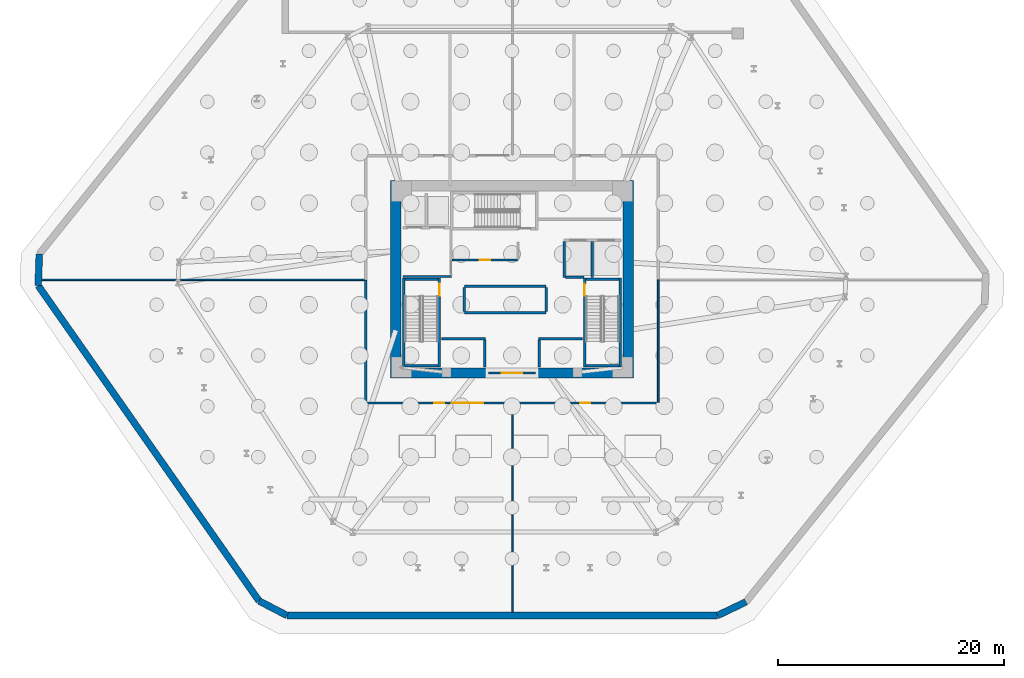
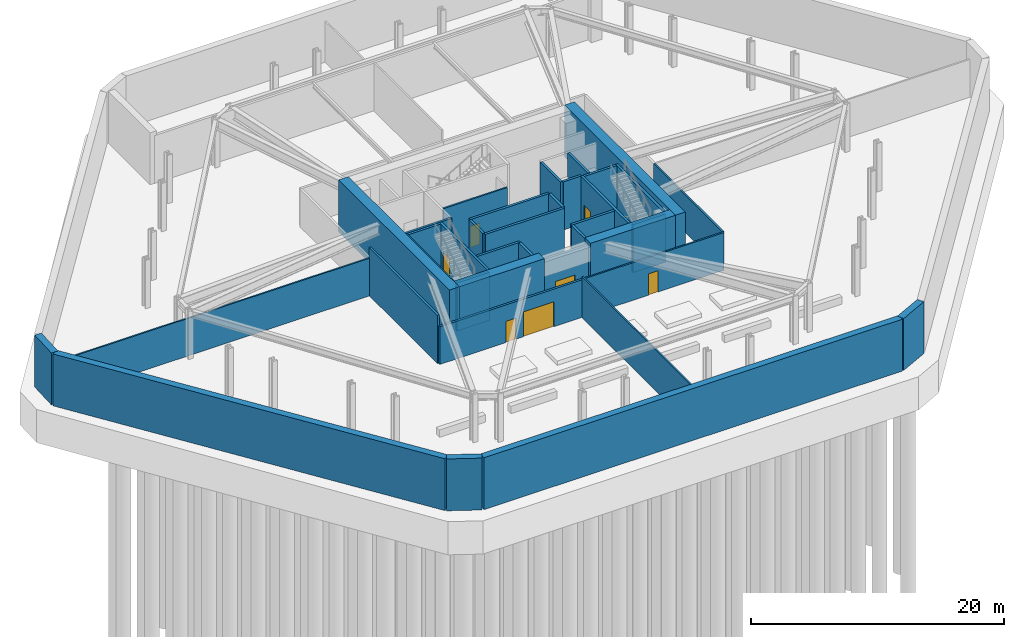
# One storey, part 4 of 8: 37 walls, 7 doors, 7 openings.
"""IFC4 building model written with IfcOpenShell, lengths in metres."""

from ifc_helpers import new_model, si_unit, direction, frame, frame_2d, origin, place, context, subcontext, project, spatial, rectangle, extrude, source, transform, mapped, material, layer, layer_set, type_object, type_shapes, element, fill, save


model = new_model("IFC4")

# Units and contexts
model_context = context("Model", 3, precision=1e-05, world=origin(), true_north=direction((0.0, 1.0)))
body_context = subcontext(model_context, "Body", "Model", "MODEL_VIEW")
ifc_project = project(units=[si_unit("LENGTHUNIT", "METRE"), si_unit("AREAUNIT", "SQUARE_METRE"), si_unit("VOLUMEUNIT", "CUBIC_METRE"), si_unit("PLANEANGLEUNIT", "RADIAN"), si_unit("MASSUNIT", "GRAM", prefix="KILO")], contexts=[model_context])

# Site, building, storey
site_placement = place(None, origin())
site = spatial("IfcSite", under=ifc_project, at=site_placement, CompositionType="ELEMENT")
building_placement = place(site_placement, origin())
building = spatial("IfcBuilding", under=site, at=building_placement, Name="Durnholm Broadcast Tower", CompositionType="ELEMENT")
storey_placement = place(building_placement, frame((0.0, 0.0, -10.0)))
storey = spatial("IfcBuildingStorey", under=building, at=storey_placement, Name="B02", CompositionType="ELEMENT", Elevation=-10.0)

# Walls
ifc_material_1 = material(Name="Concrete C70/85", Category="concrete")
ifc_layer_1 = layer(ifc_material_1, 0.89990234375)
ifc_layer_set_1 = layer_set([ifc_layer_1], Name="Concrete C70/85")
wall_type_1 = type_object("IfcWallType", Name="WALL-CW-900", PredefinedType="SHEAR", material=ifc_layer_set_1)
for number, where, z_axis, x_axis, name in (
    (1, (-10.300048828125, -8.75, 0.0), (0.0, 0.0, 1.0), (0.0, 1.0, 0.0), "B02 central core shear wall CW-WEST"),
    (2, (10.300048828125, -8.75, 0.0), (0.0, 0.0, 1.0), (0.0, 1.0, 0.0), "B02 central core shear wall CW-EAST"),
):
    element("IfcWall", number, at=place(storey_placement, frame(where, z_axis=z_axis, x_axis=x_axis)), inside=storey, type_object=wall_type_1, Name=name, PredefinedType="SHEAR", context=body_context, shape_type="SweptSolid", body=[
        extrude(rectangle(XDim=17.5, YDim=0.89990234375, at=frame_2d((8.75, 0.0))), origin(), (0.0, 0.0, 1.0), 5.0),
    ])
for number, where, z_axis, x_axis, name in (
    (3, (-9.85009765625, -8.300048828125, 0.0), (0.0, 0.0, 1.0), (1.0, 0.0, 0.0), "B02 central core shear wall CW-S1"),
    (4, (2.10009765625, -8.300048828125, 0.0), (0.0, 0.0, 1.0), (1.0, 0.0, 0.0), "B02 central core shear wall CW-S2"),
):
    element("IfcWall", number, at=place(storey_placement, frame(where, z_axis=z_axis, x_axis=x_axis)), inside=storey, type_object=wall_type_1, Name=name, PredefinedType="SHEAR", context=body_context, shape_type="SweptSolid", body=[
        extrude(rectangle(XDim=7.75, YDim=0.89990234375, at=frame_2d((3.875, 0.0))), origin(), (0.0, 0.0, 1.0), 5.0),
    ])

# Wall, opening, door
ifc_material_2 = material(Name="Fire-Rated Gypsum Shaftwall", Category="concrete")
ifc_layer_2 = layer(ifc_material_2, 0.199951171875)
ifc_layer_set_2 = layer_set([ifc_layer_2], Name="Fire-Rated Gypsum Shaftwall")
wall_type_2 = type_object("IfcWallType", Name="WALL-LOB-200", PredefinedType="SOLIDWALL", material=ifc_layer_set_2)
wall_1_placement = place(storey_placement, frame((-2.10009765625, -8.300048828125, 0.0), z_axis=(0.0, 0.0, 1.0), x_axis=(1.0, 0.0, 0.0)))
wall_1 = element("IfcWall", 5, at=wall_1_placement, inside=storey, type_object=wall_type_2, Name="B02 south core lobby fire screen", PredefinedType="SOLIDWALL", context=body_context, shape_type="SweptSolid", body=[
    extrude(rectangle(XDim=4.2001953125, YDim=0.199951171875, at=frame_2d((2.10009765625, 0.0))), origin(), (0.0, 0.0, 1.0), 4.635009765625),
])
opening_1_placement = place(wall_1_placement, frame((1.199951171875, 0.0, 0.0)))
opening_1 = element("IfcOpeningElement", 6, at=opening_1_placement, cuts=wall_1, Name="Opening DP-60", PredefinedType="OPENING", context=body_context, shape_type="SweptSolid", body=[
    extrude(rectangle(XDim=1.800048828125, YDim=2.14990234375, at=frame_2d((0.89990234375, 1.074951171875))), frame((0.0, 0.10986328125, 0.0), z_axis=(0.0, -1.0, 0.0), x_axis=(1.0, 0.0, 0.0)), (0.0, 0.0, 1.0), 0.219970703125),
])
ifc_material_3 = material(Name="Fire-Rated Double Corridor Door", Category="steel")
ifc_layer_3 = layer(ifc_material_3, 0.050048828125)
ifc_layer_set_3 = layer_set([ifc_layer_3], Name="Fire-Rated Double Corridor Door")
door_type_1 = type_object("IfcDoorType", Name="DOOR-PAIR-FD60", OperationType="DOUBLE_DOOR_SINGLE_SWING", PredefinedType="DOOR", material=ifc_layer_set_3)
shared_shape_1 = source(origin(), body_context, "Body", "SweptSolid", [
    extrude(rectangle(XDim=1.800048828125, YDim=2.14990234375, at=frame_2d((0.89990234375, 1.074951171875))), frame((0.0, 0.02490234375, 0.0), z_axis=(0.0, -1.0, 0.0), x_axis=(1.0, 0.0, 0.0)), (0.0, 0.0, 1.0), 0.050048828125),
])
type_shapes(door_type_1, [shared_shape_1])
door_1_placement = place(opening_1_placement, origin())
door_1 = element("IfcDoor", 7, at=door_1_placement, inside=storey, type_object=door_type_1, Name="B02 south core lobby double fire door", OperationType="DOUBLE_DOOR_SINGLE_SWING", OverallHeight=2.14990234375, OverallWidth=1.800048828125, PredefinedType="DOOR", context=body_context, shape_type="MappedRepresentation", body=[
    mapped(shared_shape_1, transform((0.0, 0.0, 0.0), x_axis=(1.0, 0.0, 0.0), y_axis=(0.0, 1.0, 0.0), z_axis=(0.0, 0.0, 1.0), scale=1.0)),
])
fill(opening_1, door_1)

# Wall
wall_2_placement = place(storey_placement, frame((-9.64990234375, 0.25, 0.0), z_axis=(0.0, 0.0, 1.0), x_axis=(1.0, 0.0, 0.0)))
element("IfcWall", 8, at=wall_2_placement, inside=storey, type_object=wall_type_2, Name="B02 Fire Service Access Elevator lobby south wall", PredefinedType="SOLIDWALL", context=body_context, shape_type="SweptSolid", body=[
    extrude(rectangle(XDim=4.27001953125, YDim=0.199951171875, at=frame_2d((2.135009765625, 0.0))), origin(), (0.0, 0.0, 1.0), 4.635009765625),
])

# Wall, openings, doors
wall_3_placement = place(storey_placement, frame((-12.9599609375, -10.9599609375, 0.0), z_axis=(0.0, 0.0, 1.0), x_axis=(1.0, 0.0, 0.0)))
wall_3 = element("IfcWall", 9, at=wall_3_placement, inside=storey, type_object=wall_type_2, Name="B02 Standby Diesel Generator and Switchgear Plant corridor partition", PredefinedType="SOLIDWALL", context=body_context, shape_type="SweptSolid", body=[
    extrude(rectangle(XDim=13.0, YDim=0.199951171875, at=frame_2d((6.5, 0.0))), origin(), (0.0, 0.0, 1.0), 3.62939453125),
])
opening_2_placement = place(wall_3_placement, frame((6.050048828125, 0.0, 0.0)))
opening_2 = element("IfcOpeningElement", 10, at=opening_2_placement, cuts=wall_3, Name="Opening DC-60L", PredefinedType="OPENING", context=body_context, shape_type="SweptSolid", body=[
    extrude(rectangle(XDim=0.89990234375, YDim=2.050048828125, at=frame_2d((0.449951171875, 1.02490234375))), frame((0.0, 0.10986328125, 0.0), z_axis=(0.0, -1.0, 0.0), x_axis=(1.0, 0.0, 0.0)), (0.0, 0.0, 1.0), 0.219970703125),
])
opening_3_placement = place(wall_3_placement, frame((7.610107421875, 0.0, 0.0)))
opening_3 = element("IfcOpeningElement", 11, at=opening_3_placement, cuts=wall_3, Name="Opening DG-FLT", PredefinedType="OPENING", context=body_context, shape_type="SweptSolid", body=[
    extrude(rectangle(XDim=2.800048828125, YDim=2.39990234375, at=frame_2d((1.39990234375, 1.199951171875))), frame((0.0, 0.10986328125, 0.0), z_axis=(0.0, -1.0, 0.0), x_axis=(1.0, 0.0, 0.0)), (0.0, 0.0, 1.0), 0.219970703125),
])
ifc_material_4 = material(Name="Fire-Rated Core Service Door", Category="steel")
ifc_layer_4 = layer(ifc_material_4, 0.050048828125)
ifc_layer_set_4 = layer_set([ifc_layer_4], Name="Fire-Rated Core Service Door")
door_type_2 = type_object("IfcDoorType", Name="DOOR-CORE-FD60-L", OperationType="NOTDEFINED", PredefinedType="DOOR", material=ifc_layer_set_4)
shared_shape_2 = source(origin(), body_context, "Body", "SweptSolid", [
    extrude(rectangle(XDim=0.89990234375, YDim=2.050048828125, at=frame_2d((0.449951171875, 1.02490234375))), frame((0.0, 0.02490234375, 0.0), z_axis=(0.0, -1.0, 0.0), x_axis=(1.0, 0.0, 0.0)), (0.0, 0.0, 1.0), 0.050048828125),
])
type_shapes(door_type_2, [shared_shape_2])
door_2_placement = place(opening_2_placement, origin())
door_2 = element("IfcDoor", 12, at=door_2_placement, inside=storey, type_object=door_type_2, Name="B02 Standby Diesel Generator and Switchgear Plant entrance door", OperationType="SINGLE_SWING_LEFT", OverallHeight=2.050048828125, OverallWidth=0.89990234375, PredefinedType="DOOR", context=body_context, shape_type="MappedRepresentation", body=[
    mapped(shared_shape_2, transform((0.0, 0.0, 0.0), x_axis=(1.0, 0.0, 0.0), y_axis=(0.0, 1.0, 0.0), z_axis=(0.0, 0.0, 1.0), scale=1.0)),
])
fill(opening_2, door_2)
ifc_material_5 = material(Name="Galvanized Steel Fleet Security Shutter", Category="steel")
ifc_layer_5 = layer(ifc_material_5, 0.050048828125)
ifc_layer_set_5 = layer_set([ifc_layer_5], Name="Galvanized Steel Fleet Security Shutter")
door_type_3 = type_object("IfcDoorType", Name="DOOR-B01-GATE", OperationType="ROLLINGUP", PredefinedType="GATE", material=ifc_layer_set_5)
shared_shape_3 = source(origin(), body_context, "Body", "SweptSolid", [
    extrude(rectangle(XDim=2.800048828125, YDim=2.39990234375, at=frame_2d((1.39990234375, 1.199951171875))), frame((0.0, 0.02490234375, 0.0), z_axis=(0.0, -1.0, 0.0), x_axis=(1.0, 0.0, 0.0)), (0.0, 0.0, 1.0), 0.050048828125),
])
type_shapes(door_type_3, [shared_shape_3])
door_3_placement = place(opening_3_placement, origin())
door_3 = element("IfcDoor", 13, at=door_3_placement, inside=storey, type_object=door_type_3, Name="B02 plant equipment roller gate 4", OperationType="ROLLINGUP", OverallHeight=2.39990234375, OverallWidth=2.800048828125, PredefinedType="GATE", context=body_context, shape_type="MappedRepresentation", body=[
    mapped(shared_shape_3, transform((0.0, 0.0, 0.0), x_axis=(1.0, 0.0, 0.0), y_axis=(0.0, 1.0, 0.0), z_axis=(0.0, 0.0, 1.0), scale=1.0)),
])
fill(opening_3, door_3)

# Walls
wall_4_placement = place(storey_placement, frame((-12.9599609375, -0.0400390625, 0.0), z_axis=(0.0, 0.0, 1.0), x_axis=(0.0, -1.0, 0.0)))
element("IfcWall", 14, at=wall_4_placement, inside=storey, type_object=wall_type_2, Name="B02 Standby Diesel Generator and Switchgear Plant corridor partition", PredefinedType="SOLIDWALL", context=body_context, shape_type="SweptSolid", body=[
    extrude(rectangle(XDim=10.81591796875, YDim=0.199951171875, at=frame_2d((5.407958984375, 0.0))), origin(), (0.0, 0.0, 1.0), 4.635009765625),
])
ifc_material_6 = material(Name="Gypsum Metal Stud Partition", Category="concrete")
ifc_layer_6 = layer(ifc_material_6, 0.135009765625)
ifc_layer_set_6 = layer_set([ifc_layer_6], Name="Gypsum Metal Stud Partition")
wall_type_3 = type_object("IfcWallType", Name="WALL-PART-135", PredefinedType="PARTITIONING", material=ifc_layer_set_6)
wall_5_placement = place(storey_placement, frame((-13.06396484375, -0.0400390625, 0.0), z_axis=(0.0, 0.0, 1.0), x_axis=(-0.99999999909, 4.2667577e-05, 0.0)))
element("IfcWall", 15, at=wall_5_placement, inside=storey, type_object=wall_type_3, Name="B02 room dividing partition 2.4", PredefinedType="PARTITIONING", context=body_context, shape_type="SweptSolid", body=[
    extrude(rectangle(XDim=28.609619140625, YDim=0.135009765625, at=frame_2d((14.3046875, 0.0))), origin(), (0.0, 0.0, 1.0), 3.62939453125),
])
wall_6_placement = place(storey_placement, frame((0.0400390625, -11.06396484375, 0.0), z_axis=(0.0, 0.0, 1.0), x_axis=(0.0, -1.0, 0.0)))
element("IfcWall", 16, at=wall_6_placement, inside=storey, type_object=wall_type_3, Name="B02 room dividing partition 4.5", PredefinedType="PARTITIONING", context=body_context, shape_type="SweptSolid", body=[
    extrude(rectangle(XDim=18.43115234375, YDim=0.135009765625, at=frame_2d((9.215576171875, 0.0))), origin(), (0.0, 0.0, 1.0), 3.944091796875),
])

# Wall, opening, door
ifc_material_7 = material(Name="Acoustic Gypsum Stud Partition", Category="concrete")
ifc_layer_7 = layer(ifc_material_7, 0.14990234375)
ifc_layer_set_7 = layer_set([ifc_layer_7], Name="Acoustic Gypsum Stud Partition")
wall_type_4 = type_object("IfcWallType", Name="WALL-PART-150", PredefinedType="PARTITIONING", material=ifc_layer_set_7)
wall_7_placement = place(storey_placement, frame((0.52001953125, 1.7099609375, 0.0), z_axis=(0.0, 0.0, 1.0), x_axis=(-1.0, 0.0, 0.0)))
wall_7 = element("IfcWall", 17, at=wall_7_placement, inside=storey, type_object=wall_type_4, Name="B02 Core Housekeeping Room corridor partition", PredefinedType="PARTITIONING", context=body_context, shape_type="SweptSolid", body=[
    extrude(rectangle(XDim=5.81591796875, YDim=0.14990234375, at=frame_2d((2.907958984375, 0.0))), origin(), (0.0, 0.0, 1.0), 4.635009765625),
])
opening_4_placement = place(wall_7_placement, frame((2.4580078125, 0.0, 0.0)))
opening_4 = element("IfcOpeningElement", 18, at=opening_4_placement, cuts=wall_7, Name="Opening DC-60R", PredefinedType="OPENING", context=body_context, shape_type="SweptSolid", body=[
    extrude(rectangle(XDim=0.89990234375, YDim=2.050048828125, at=frame_2d((0.449951171875, 1.02490234375))), frame((0.0, 0.0849609375, 0.0), z_axis=(0.0, -1.0, 0.0), x_axis=(1.0, 0.0, 0.0)), (0.0, 0.0, 1.0), 0.169921875),
])
ifc_layer_8 = layer(ifc_material_4, 0.050048828125)
ifc_layer_set_8 = layer_set([ifc_layer_8], Name="Fire-Rated Core Service Door")
door_type_4 = type_object("IfcDoorType", Name="DOOR-CORE-FD60-R", OperationType="NOTDEFINED", PredefinedType="DOOR", material=ifc_layer_set_8)
shared_shape_4 = source(origin(), body_context, "Body", "SweptSolid", [
    extrude(rectangle(XDim=0.89990234375, YDim=2.050048828125, at=frame_2d((0.449951171875, 1.02490234375))), frame((0.0, 0.02490234375, 0.0), z_axis=(0.0, -1.0, 0.0), x_axis=(1.0, 0.0, 0.0)), (0.0, 0.0, 1.0), 0.050048828125),
])
type_shapes(door_type_4, [shared_shape_4])
door_4_placement = place(opening_4_placement, origin())
door_4 = element("IfcDoor", 19, at=door_4_placement, inside=storey, type_object=door_type_4, Name="B02 Core Housekeeping Room entrance door", OperationType="SINGLE_SWING_RIGHT", OverallHeight=2.050048828125, OverallWidth=0.89990234375, PredefinedType="DOOR", context=body_context, shape_type="MappedRepresentation", body=[
    mapped(shared_shape_4, transform((0.0, 0.0, 0.0), x_axis=(1.0, 0.0, 0.0), y_axis=(0.0, 1.0, 0.0), z_axis=(0.0, 0.0, 1.0), scale=1.0)),
])
fill(opening_4, door_4)

wall_8_placement = place(storey_placement, frame((0.0400390625, -10.9599609375, 0.0), z_axis=(0.0, 0.0, 1.0), x_axis=(1.0, 0.0, 0.0)))
wall_8 = element("IfcWall", 20, at=wall_8_placement, inside=storey, type_object=wall_type_4, Name="B02 Broadcast Technical Maintenance Store corridor partition", PredefinedType="PARTITIONING", context=body_context, shape_type="SweptSolid", body=[
    extrude(rectangle(XDim=12.919921875, YDim=0.14990234375, at=frame_2d((6.4599609375, 0.0))), origin(), (0.0, 0.0, 1.0), 3.62939453125),
])
opening_5_placement = place(wall_8_placement, frame((6.010009765625, 0.0, 0.0)))
opening_5 = element("IfcOpeningElement", 21, at=opening_5_placement, cuts=wall_8, Name="Opening DC-60R", PredefinedType="OPENING", context=body_context, shape_type="SweptSolid", body=[
    extrude(rectangle(XDim=0.89990234375, YDim=2.050048828125, at=frame_2d((0.449951171875, 1.02490234375))), frame((0.0, 0.0849609375, 0.0), z_axis=(0.0, -1.0, 0.0), x_axis=(1.0, 0.0, 0.0)), (0.0, 0.0, 1.0), 0.169921875),
])
door_5_placement = place(opening_5_placement, origin())
door_5 = element("IfcDoor", 22, at=door_5_placement, inside=storey, type_object=door_type_4, Name="B02 Broadcast Technical Maintenance Store entrance door", OperationType="SINGLE_SWING_RIGHT", OverallHeight=2.050048828125, OverallWidth=0.89990234375, PredefinedType="DOOR", context=body_context, shape_type="MappedRepresentation", body=[
    mapped(shared_shape_4, transform((0.0, 0.0, 0.0), x_axis=(1.0, 0.0, 0.0), y_axis=(0.0, 1.0, 0.0), z_axis=(0.0, 0.0, 1.0), scale=1.0)),
])
fill(opening_5, door_5)

# Walls
wall_9_placement = place(storey_placement, frame((12.9599609375, -10.881103515625, 0.0), z_axis=(0.0, 0.0, 1.0), x_axis=(0.0, 1.0, 0.0)))
element("IfcWall", 23, at=wall_9_placement, inside=storey, type_object=wall_type_4, Name="B02 Broadcast Technical Maintenance Store corridor partition", PredefinedType="PARTITIONING", context=body_context, shape_type="SweptSolid", body=[
    extrude(rectangle(XDim=10.841064453125, YDim=0.14990234375, at=frame_2d((5.42041015625, 0.0))), origin(), (0.0, 0.0, 1.0), 3.62939453125),
])
ifc_material_8 = material(Name="Concrete C50/60", Category="concrete")
ifc_layer_9 = layer(ifc_material_8, 0.60009765625)
ifc_layer_set_9 = layer_set([ifc_layer_9], Name="Concrete C50/60")
wall_type_5 = type_object("IfcWallType", Name="WALL-RET-600", PredefinedType="USERDEFINED", material=ifc_layer_set_9)
wall_10_placement = place(storey_placement, frame((-22.421142578125, -28.507080078125, 0.0), z_axis=(0.0, 0.0, 1.0), x_axis=(0.887001141035, -0.461767231192, 0.0)))
element("IfcWall", 24, at=wall_10_placement, inside=storey, type_object=wall_type_5, Name="B02 perimeter retaining wall 1", ObjectType="RETAININGWALL", PredefinedType="USERDEFINED", context=body_context, shape_type="SweptSolid", body=[
    extrude(rectangle(XDim=2.800048828125, YDim=0.60009765625, at=frame_2d((1.39990234375, 0.0))), origin(), (0.0, 0.0, 1.0), 5.0),
])
wall_11_placement = place(storey_placement, frame((-19.9375, -29.800048828125, 0.0), z_axis=(0.0, 0.0, 1.0), x_axis=(1.0, 0.0, 0.0)))
element("IfcWall", 25, at=wall_11_placement, inside=storey, type_object=wall_type_5, Name="B02 perimeter retaining wall 2", ObjectType="RETAININGWALL", PredefinedType="USERDEFINED", context=body_context, shape_type="SweptSolid", body=[
    extrude(rectangle(XDim=38.149169921875, YDim=0.60009765625, at=frame_2d((19.07470703125, 0.0))), origin(), (0.0, 0.0, 1.0), 5.0),
])
for number, where, z_axis, x_axis, name in (
    (26, (18.211669921875, -29.800048828125, 0.0), (0.0, 0.0, 1.0), (0.901732483037, 0.432294493415, 0.0), "B02 perimeter retaining wall 3"),
    (27, (-41.90380859375, 2.240478515625, 0.0), (0.0, 0.0, 1.0), (-0.032870651185, -0.999459614137, 0.0), "B02 perimeter retaining wall 11"),
):
    element("IfcWall", number, at=place(storey_placement, frame(where, z_axis=z_axis, x_axis=x_axis)), inside=storey, type_object=wall_type_5, Name=name, ObjectType="RETAININGWALL", PredefinedType="USERDEFINED", context=body_context, shape_type="SweptSolid", body=[
        extrude(rectangle(XDim=2.800048828125, YDim=0.60009765625, at=frame_2d((1.39990234375, 0.0))), origin(), (0.0, 0.0, 1.0), 5.0),
    ])
wall_12_placement = place(storey_placement, frame((-41.995849609375, -0.55810546875, 0.0), z_axis=(0.0, 0.0, 1.0), x_axis=(0.573667370151, -0.819088364234, 0.0)))
element("IfcWall", 28, at=wall_12_placement, inside=storey, type_object=wall_type_5, Name="B02 perimeter retaining wall 12", ObjectType="RETAININGWALL", PredefinedType="USERDEFINED", context=body_context, shape_type="SweptSolid", body=[
    extrude(rectangle(XDim=34.1220703125, YDim=0.60009765625, at=frame_2d((17.06103515625, 0.0))), origin(), (0.0, 0.0, 1.0), 5.0),
])
ifc_material_9 = material(Name="Concrete Blockwork C30/37", Category="masonry")
ifc_layer_10 = layer(ifc_material_9, 0.219970703125)
ifc_layer_set_10 = layer_set([ifc_layer_10], Name="Concrete Blockwork C30/37")
wall_type_6 = type_object("IfcWallType", Name="WALL-SHAFT-220", PredefinedType="SOLIDWALL", material=ifc_layer_set_10)
for number, where, z_axis, x_axis, name in (
    (29, (4.6201171875, 0.179931640625, 0.0), (0.0, 0.0, 1.0), (0.0, 1.0, 0.0), "B02 freight service lift SVL-2 west wall"),
    (30, (7.1201171875, 0.179931640625, 0.0), (0.0, 0.0, 1.0), (0.0, 1.0, 0.0), "B02 freight service lifts divider wall"),
):
    element("IfcWall", number, at=place(storey_placement, frame(where, z_axis=z_axis, x_axis=x_axis)), inside=storey, type_object=wall_type_6, Name=name, PredefinedType="SOLIDWALL", context=body_context, shape_type="SweptSolid", body=[
        extrude(rectangle(XDim=3.18603515625, YDim=0.219970703125, at=frame_2d((1.593017578125, 0.0))), origin(), (0.0, 0.0, 1.0), 4.635009765625),
    ])
wall_13_placement = place(storey_placement, frame((4.73388671875, 0.199951171875, 0.0), z_axis=(0.0, 0.0, 1.0), x_axis=(1.0, 0.0, 0.0)))
element("IfcWall", 31, at=wall_13_placement, inside=storey, type_object=wall_type_6, Name="B02 freight service lift SVL-2 south wall", PredefinedType="SOLIDWALL", context=body_context, shape_type="SweptSolid", body=[
    extrude(rectangle(XDim=1.666015625, YDim=0.219970703125, at=frame_2d((0.8330078125, 0.0))), origin(), (0.0, 0.0, 1.0), 4.635009765625),
])
for number, where, z_axis, x_axis, name in (
    (32, (-6.25, -5.280029296875, 0.0), (0.0, 0.0, 1.0), (1.0, 0.0, 0.0), "B02 low-rise bank P1 west front wall"),
    (33, (2.35009765625, -5.280029296875, 0.0), (0.0, 0.0, 1.0), (1.0, 0.0, 0.0), "B02 low-rise bank P1 east front wall"),
):
    element("IfcWall", number, at=place(storey_placement, frame(where, z_axis=z_axis, x_axis=x_axis)), inside=storey, type_object=wall_type_6, Name=name, PredefinedType="SOLIDWALL", context=body_context, shape_type="SweptSolid", body=[
        extrude(rectangle(XDim=3.89990234375, YDim=0.219970703125, at=frame_2d((1.949951171875, 0.0))), origin(), (0.0, 0.0, 1.0), 4.635009765625),
    ])
for number, where, z_axis, x_axis, name in (
    (34, (-2.39990234375, -7.75, 0.0), (0.0, 0.0, 1.0), (0.0, 1.0, 0.0), "B02 low-rise bank P1 west mouth wall"),
    (35, (2.39990234375, -7.75, 0.0), (0.0, 0.0, 1.0), (0.0, 1.0, 0.0), "B02 low-rise bank P1 east mouth wall"),
):
    element("IfcWall", number, at=place(storey_placement, frame(where, z_axis=z_axis, x_axis=x_axis)), inside=storey, type_object=wall_type_6, Name=name, PredefinedType="SOLIDWALL", context=body_context, shape_type="SweptSolid", body=[
        extrude(rectangle(XDim=2.35595703125, YDim=0.219970703125, at=frame_2d((1.177978515625, 0.0))), origin(), (0.0, 0.0, 1.0), 4.635009765625),
    ])
for number, where, z_axis, x_axis, name in (
    (36, (-4.219970703125, -2.97998046875, 0.0), (0.0, 0.0, 1.0), (1.0, 0.0, 0.0), "B02 mid-rise bank P2 south front wall"),
    (37, (-4.219970703125, -0.6201171875, 0.0), (0.0, 0.0, 1.0), (1.0, 0.0, 0.0), "B02 mid-rise bank P2 north shaft wall"),
):
    element("IfcWall", number, at=place(storey_placement, frame(where, z_axis=z_axis, x_axis=x_axis)), inside=storey, type_object=wall_type_6, Name=name, PredefinedType="SOLIDWALL", context=body_context, shape_type="SweptSolid", body=[
        extrude(rectangle(XDim=7.239990234375, YDim=0.219970703125, at=frame_2d((3.6201171875, 0.0))), origin(), (0.0, 0.0, 1.0), 4.635009765625),
    ])
for number, where, z_axis, x_axis, name in (
    (38, (-4.219970703125, -2.865966796875, 0.0), (0.0, 0.0, 1.0), (0.0, 1.0, 0.0), "B02 mid-rise bank P2 west shaft wall"),
    (39, (3.02001953125, -2.865966796875, 0.0), (0.0, 0.0, 1.0), (0.0, 1.0, 0.0), "B02 mid-rise bank P2 east shaft wall"),
):
    element("IfcWall", number, at=place(storey_placement, frame(where, z_axis=z_axis, x_axis=x_axis)), inside=storey, type_object=wall_type_6, Name=name, PredefinedType="SOLIDWALL", context=body_context, shape_type="SweptSolid", body=[
        extrude(rectangle(XDim=2.132080078125, YDim=0.219970703125, at=frame_2d((1.06591796875, 0.0))), origin(), (0.0, 0.0, 1.0), 4.635009765625),
    ])

# Wall, opening, door
ifc_layer_11 = layer(ifc_material_8, 0.219970703125)
ifc_layer_set_11 = layer_set([ifc_layer_11], Name="Concrete C50/60")
wall_type_7 = type_object("IfcWallType", Name="WALL-SW-220", PredefinedType="SHEAR", material=ifc_layer_set_11)
wall_14_placement = place(storey_placement, frame((-6.429931640625, -7.77001953125, 0.0), z_axis=(0.0, 0.0, 1.0), x_axis=(0.0, 1.0, 0.0)))
wall_14 = element("IfcWall", 40, at=wall_14_placement, inside=storey, type_object=wall_type_7, Name="B02 stair ST-1 structural shaft wall E", PredefinedType="SHEAR", context=body_context, shape_type="SweptSolid", body=[
    extrude(rectangle(XDim=7.89013671875, YDim=0.219970703125, at=frame_2d((3.945068359375, 0.0))), origin(), (0.0, 0.0, 1.0), 4.64990234375),
])
opening_6_placement = place(wall_14_placement, frame((6.320068359375, 0.0, 0.0)))
opening_6 = element("IfcOpeningElement", 41, at=opening_6_placement, cuts=wall_14, Name="Opening DS-90L", PredefinedType="OPENING", context=body_context, shape_type="SweptSolid", body=[
    extrude(rectangle(XDim=1.050048828125, YDim=2.14990234375, at=frame_2d((0.52490234375, 1.074951171875))), frame((0.0, 0.1201171875, 0.0), z_axis=(0.0, -1.0, 0.0), x_axis=(1.0, 0.0, 0.0)), (0.0, 0.0, 1.0), 0.239990234375),
])
ifc_material_10 = material(Name="Fire-Rated Steel Door", Category="steel")
ifc_layer_12 = layer(ifc_material_10, 0.050048828125)
ifc_layer_set_12 = layer_set([ifc_layer_12], Name="Fire-Rated Steel Door")
door_type_5 = type_object("IfcDoorType", Name="DOOR-ST-FD90-L", OperationType="NOTDEFINED", PredefinedType="DOOR", material=ifc_layer_set_12)
shared_shape_5 = source(origin(), body_context, "Body", "SweptSolid", [
    extrude(rectangle(XDim=1.050048828125, YDim=2.14990234375, at=frame_2d((0.52490234375, 1.074951171875))), frame((0.0, 0.02490234375, 0.0), z_axis=(0.0, -1.0, 0.0), x_axis=(1.0, 0.0, 0.0)), (0.0, 0.0, 1.0), 0.050048828125),
])
type_shapes(door_type_5, [shared_shape_5])
door_6_placement = place(opening_6_placement, origin())
door_6 = element("IfcDoor", 42, at=door_6_placement, inside=storey, type_object=door_type_5, Name="B02 exit stair ST-1 fire door", OperationType="SINGLE_SWING_LEFT", OverallHeight=2.14990234375, OverallWidth=1.050048828125, PredefinedType="DOOR", context=body_context, shape_type="MappedRepresentation", body=[
    mapped(shared_shape_5, transform((0.0, 0.0, 0.0), x_axis=(1.0, 0.0, 0.0), y_axis=(0.0, 1.0, 0.0), z_axis=(0.0, 0.0, 1.0), scale=1.0)),
])
fill(opening_6, door_6)

# Walls
wall_15_placement = place(storey_placement, frame((-9.610107421875, 0.1201171875, 0.0), z_axis=(0.0, 0.0, 1.0), x_axis=(0.0, -1.0, 0.0)))
element("IfcWall", 43, at=wall_15_placement, inside=storey, type_object=wall_type_7, Name="B02 stair ST-1 structural shaft wall W", PredefinedType="SHEAR", context=body_context, shape_type="SweptSolid", body=[
    extrude(rectangle(XDim=7.89013671875, YDim=0.219970703125, at=frame_2d((3.945068359375, 0.0))), origin(), (0.0, 0.0, 1.0), 4.64990234375),
])
for number, where, z_axis, x_axis, name in (
    (44, (-9.5, -7.659912109375, 0.0), (0.0, 0.0, 1.0), (1.0, 0.0, 0.0), "B02 stair ST-1 structural shaft wall S"),
    (45, (-6.5400390625, 0.010009765625, 0.0), (0.0, 0.0, 1.0), (-1.0, 0.0, 0.0), "B02 stair ST-1 structural shaft wall N"),
):
    element("IfcWall", number, at=place(storey_placement, frame(where, z_axis=z_axis, x_axis=x_axis)), inside=storey, type_object=wall_type_7, Name=name, PredefinedType="SHEAR", context=body_context, shape_type="SweptSolid", body=[
        extrude(rectangle(XDim=2.9599609375, YDim=0.219970703125, at=frame_2d((1.47998046875, 0.0))), origin(), (0.0, 0.0, 1.0), 4.64990234375),
    ])
wall_16_placement = place(storey_placement, frame((9.610107421875, -7.77001953125, 0.0), z_axis=(0.0, 0.0, 1.0), x_axis=(0.0, 1.0, 0.0)))
element("IfcWall", 46, at=wall_16_placement, inside=storey, type_object=wall_type_7, Name="B02 stair ST-2 structural shaft wall E", PredefinedType="SHEAR", context=body_context, shape_type="SweptSolid", body=[
    extrude(rectangle(XDim=7.89013671875, YDim=0.219970703125, at=frame_2d((3.945068359375, 0.0))), origin(), (0.0, 0.0, 1.0), 4.64990234375),
])

# Wall, opening, door
wall_17_placement = place(storey_placement, frame((6.429931640625, 0.1201171875, 0.0), z_axis=(0.0, 0.0, 1.0), x_axis=(0.0, -1.0, 0.0)))
wall_17 = element("IfcWall", 47, at=wall_17_placement, inside=storey, type_object=wall_type_7, Name="B02 stair ST-2 structural shaft wall W", PredefinedType="SHEAR", context=body_context, shape_type="SweptSolid", body=[
    extrude(rectangle(XDim=7.89013671875, YDim=0.219970703125, at=frame_2d((3.945068359375, 0.0))), origin(), (0.0, 0.0, 1.0), 4.64990234375),
])
opening_7_placement = place(wall_17_placement, frame((0.52001953125, 0.0, 0.0)))
opening_7 = element("IfcOpeningElement", 48, at=opening_7_placement, cuts=wall_17, Name="Opening DS-90R", PredefinedType="OPENING", context=body_context, shape_type="SweptSolid", body=[
    extrude(rectangle(XDim=1.050048828125, YDim=2.14990234375, at=frame_2d((0.52490234375, 1.074951171875))), frame((0.0, 0.1201171875, 0.0), z_axis=(0.0, -1.0, 0.0), x_axis=(1.0, 0.0, 0.0)), (0.0, 0.0, 1.0), 0.239990234375),
])
ifc_layer_13 = layer(ifc_material_10, 0.050048828125)
ifc_layer_set_13 = layer_set([ifc_layer_13], Name="Fire-Rated Steel Door")
door_type_6 = type_object("IfcDoorType", Name="DOOR-ST-FD90-R", OperationType="NOTDEFINED", PredefinedType="DOOR", material=ifc_layer_set_13)
shared_shape_6 = source(origin(), body_context, "Body", "SweptSolid", [
    extrude(rectangle(XDim=1.050048828125, YDim=2.14990234375, at=frame_2d((0.52490234375, 1.074951171875))), frame((0.0, 0.02490234375, 0.0), z_axis=(0.0, -1.0, 0.0), x_axis=(1.0, 0.0, 0.0)), (0.0, 0.0, 1.0), 0.050048828125),
])
type_shapes(door_type_6, [shared_shape_6])
door_7_placement = place(opening_7_placement, origin())
door_7 = element("IfcDoor", 49, at=door_7_placement, inside=storey, type_object=door_type_6, Name="B02 exit stair ST-2 fire door", OperationType="SINGLE_SWING_RIGHT", OverallHeight=2.14990234375, OverallWidth=1.050048828125, PredefinedType="DOOR", context=body_context, shape_type="MappedRepresentation", body=[
    mapped(shared_shape_6, transform((0.0, 0.0, 0.0), x_axis=(1.0, 0.0, 0.0), y_axis=(0.0, 1.0, 0.0), z_axis=(0.0, 0.0, 1.0), scale=1.0)),
])
fill(opening_7, door_7)

# Walls
for number, where, z_axis, x_axis, name in (
    (50, (6.5400390625, -7.659912109375, 0.0), (0.0, 0.0, 1.0), (1.0, 0.0, 0.0), "B02 stair ST-2 structural shaft wall S"),
    (51, (9.5, 0.010009765625, 0.0), (0.0, 0.0, 1.0), (-1.0, 0.0, 0.0), "B02 stair ST-2 structural shaft wall N"),
):
    element("IfcWall", number, at=place(storey_placement, frame(where, z_axis=z_axis, x_axis=x_axis)), inside=storey, type_object=wall_type_7, Name=name, PredefinedType="SHEAR", context=body_context, shape_type="SweptSolid", body=[
        extrude(rectangle(XDim=2.9599609375, YDim=0.219970703125, at=frame_2d((1.47998046875, 0.0))), origin(), (0.0, 0.0, 1.0), 4.64990234375),
    ])

save(model, "model.ifc")
